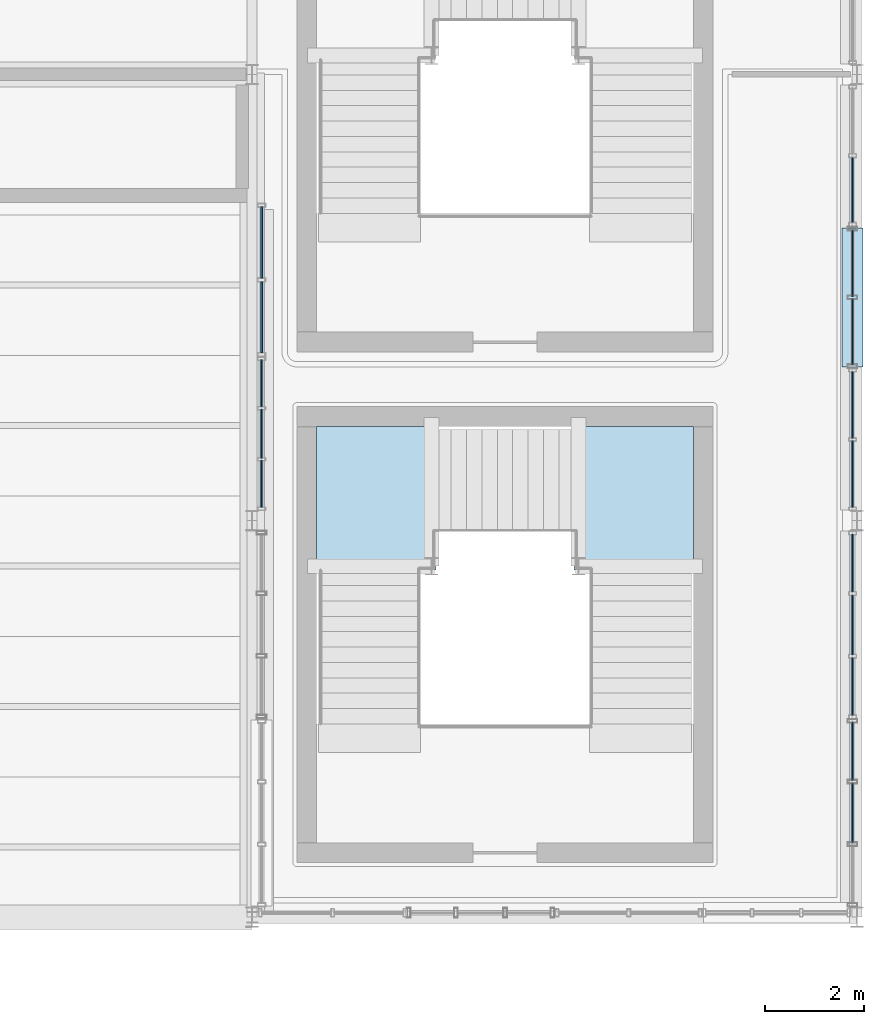
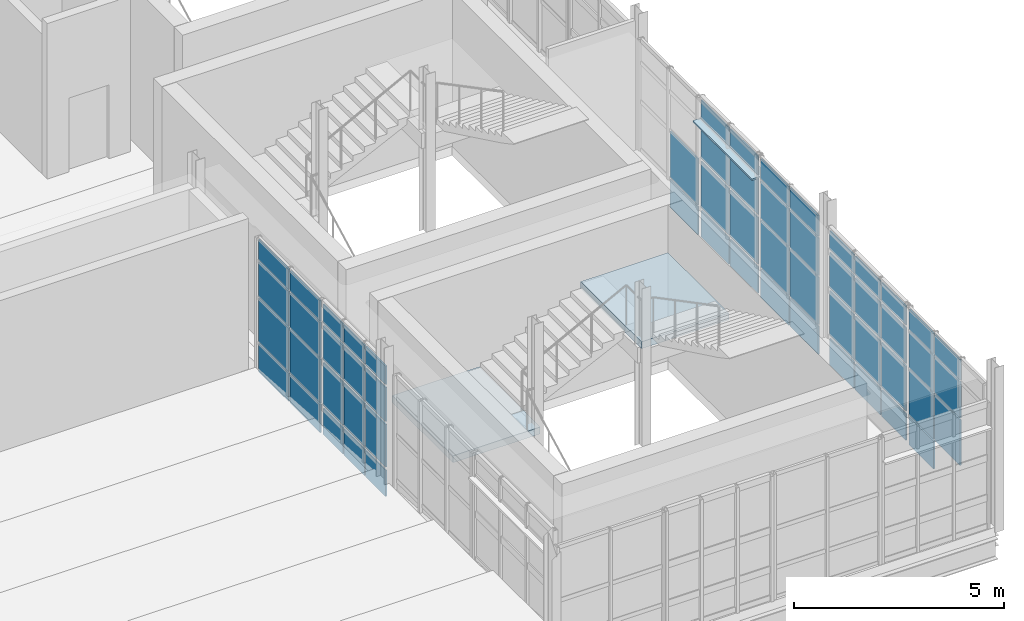
# One storey, part 75 of 100: 58 plates, 2 slabs, 8 elements without a shape of their own.
"""IFC4 building model written with IfcOpenShell, lengths in metres."""

from ifc_helpers import new_model, si_unit, derived_unit, direction, frame, origin, origin_2d, place, context, subcontext, project, spatial, polyline, rectangle, outline, extrude, material, layer, layer_set, type_object, element, aggregate, save


model = new_model("IFC4")

# Units and contexts
model_context = context("Model", 3, precision=1e-05, world=origin(), true_north=direction((0.0, 1.0)))
body_context = subcontext(model_context, "Body", "Model", "MODEL_VIEW")
ifc_project = project(units=[si_unit("LENGTHUNIT", "METRE"), si_unit("AREAUNIT", "SQUARE_METRE"), si_unit("VOLUMEUNIT", "CUBIC_METRE"), si_unit("PLANEANGLEUNIT", "RADIAN"), si_unit("MASSUNIT", "GRAM", prefix="KILO"), derived_unit("THERMALTRANSMITTANCEUNIT", [(si_unit("POWERUNIT", "WATT"), 1), (si_unit("LENGTHUNIT", "METRE"), -2), (si_unit("THERMODYNAMICTEMPERATUREUNIT", "KELVIN"), -1)])], contexts=[model_context])

# Site, building, storey
site_placement = place(None, origin())
site = spatial("IfcSite", under=ifc_project, at=site_placement, CompositionType="ELEMENT")
building_placement = place(site_placement, origin())
building = spatial("IfcBuilding", under=site, at=building_placement, Name="Nallur Shell Playhouse", CompositionType="ELEMENT")
storey_placement = place(building_placement, frame((0.0, 0.0, 10.199951171875)))
storey = spatial("IfcBuildingStorey", under=building, at=storey_placement, Name="L03", CompositionType="ELEMENT", Elevation=10.199951171875)

# Curtain wall, plates
ifc_material_1 = material(Name="Anodised Aluminium Double-Glazed Facade System", Category="aluminium")
ifc_layer_1 = layer(ifc_material_1, 0.1640625)
ifc_layer_set_1 = layer_set([ifc_layer_1], Name="Anodised Aluminium Double-Glazed Facade System")
curtain_wall_type_1 = type_object("IfcCurtainWallType", Name="CW-UNIT-19", PredefinedType="NOTDEFINED", material=ifc_layer_set_1)
curtain_wall_1_placement = place(storey_placement, origin())
curtain_wall_1 = element("IfcCurtainWall", 1, at=curtain_wall_1_placement, inside=storey, type_object=curtain_wall_type_1, Name="Unitised curtain wall CW-083 (L03)", PredefinedType="NOTDEFINED")
ifc_material_2 = material(Name="Solar-Control Low-E Laminated Insulating Glass", Category="glass")
ifc_layer_2 = layer(ifc_material_2, 0.030029296875)
ifc_layer_set_2 = layer_set([ifc_layer_2], Name="Solar-Control Low-E Laminated Insulating Glass")
plate_type_1 = type_object("IfcPlateType", Name="PT-GLZ-03", PredefinedType="CURTAIN_PANEL", material=ifc_layer_set_2)
plate_1_placement = place(storey_placement, frame((159.7099609375, 38.669677734375, 0.05712890625), z_axis=(0.0, 0.0, 1.0), x_axis=(0.0, -1.0, 0.0)))
plate_1 = element("IfcPlate", 2, at=plate_1_placement, type_object=plate_type_1, Name="CW-19 panel 2.1", PredefinedType="CURTAIN_PANEL", context=body_context, shape_type="SweptSolid", body=[
    extrude(rectangle(XDim=1.32421875, YDim=0.030029296875, at=origin_2d()), origin(), (0.0, 0.0, 1.0), 0.818603515625),
])
plate_2_placement = place(storey_placement, frame((159.7099609375, 38.669677734375, 0.924560546875), z_axis=(0.0, 0.0, 1.0), x_axis=(0.0, -1.0, 0.0)))
plate_2 = element("IfcPlate", 3, at=plate_2_placement, type_object=plate_type_1, Name="CW-19 panel 2.2", PredefinedType="CURTAIN_PANEL", context=body_context, shape_type="SweptSolid", body=[
    extrude(rectangle(XDim=1.32421875, YDim=0.030029296875, at=origin_2d()), origin(), (0.0, 0.0, 1.0), 1.35498046875),
])
aggregate(curtain_wall_1, [plate_1, plate_2])

ifc_layer_3 = layer(ifc_material_1, 0.16796875)
ifc_layer_set_3 = layer_set([ifc_layer_3], Name="Anodised Aluminium Double-Glazed Facade System")
curtain_wall_type_2 = type_object("IfcCurtainWallType", Name="CW-UNIT-20", PredefinedType="NOTDEFINED", material=ifc_layer_set_3)
curtain_wall_2_placement = place(storey_placement, origin())
curtain_wall_2 = element("IfcCurtainWall", 4, at=curtain_wall_2_placement, inside=storey, type_object=curtain_wall_type_2, Name="Unitised curtain wall CW-084 (L03)", PredefinedType="NOTDEFINED")
ifc_layer_4 = layer(ifc_material_2, 0.031982421875)
ifc_layer_set_4 = layer_set([ifc_layer_4], Name="Solar-Control Low-E Laminated Insulating Glass")
plate_type_2 = type_object("IfcPlateType", Name="PT-GLZ-04", PredefinedType="CURTAIN_PANEL", material=ifc_layer_set_4)
plate_3_placement = place(storey_placement, frame((159.7099609375, 37.194091796875, 0.092041015625), z_axis=(0.0, 0.0, 1.0), x_axis=(0.0, -1.0, 0.0)))
plate_3 = element("IfcPlate", 5, at=plate_3_placement, type_object=plate_type_2, Name="CW-20 panel 1.1", PredefinedType="CURTAIN_PANEL", context=body_context, shape_type="SweptSolid", body=[
    extrude(rectangle(XDim=1.3291015625, YDim=0.031982421875, at=origin_2d()), origin(), (0.0, 0.0, 1.0), 0.76611328125),
])
plate_4_placement = place(storey_placement, frame((159.7099609375, 37.194091796875, 0.942138671875), z_axis=(0.0, 0.0, 1.0), x_axis=(0.0, -1.0, 0.0)))
plate_4 = element("IfcPlate", 6, at=plate_4_placement, type_object=plate_type_2, Name="CW-20 panel 1.2", PredefinedType="CURTAIN_PANEL", context=body_context, shape_type="SweptSolid", body=[
    extrude(rectangle(XDim=1.3291015625, YDim=0.031982421875, at=origin_2d()), origin(), (0.0, 0.0, 1.0), 1.35400390625),
])
plate_5_placement = place(storey_placement, frame((159.7099609375, 37.194091796875, 2.3798828125), z_axis=(0.0, 0.0, 1.0), x_axis=(0.0, -1.0, 0.0)))
plate_5 = element("IfcPlate", 7, at=plate_5_placement, type_object=plate_type_2, Name="CW-20 panel 1.3", PredefinedType="CURTAIN_PANEL", context=body_context, shape_type="SweptSolid", body=[
    extrude(rectangle(XDim=1.3291015625, YDim=0.031982421875, at=origin_2d()), origin(), (0.0, 0.0, 1.0), 1.072998046875),
])
plate_6_placement = place(storey_placement, frame((159.7099609375, 37.194091796875, 3.537109375), z_axis=(0.0, 0.0, 1.0), x_axis=(0.0, -1.0, 0.0)))
plate_6 = element("IfcPlate", 8, at=plate_6_placement, type_object=plate_type_2, Name="CW-20 panel 1.4", PredefinedType="CURTAIN_PANEL", context=body_context, shape_type="SweptSolid", body=[
    extrude(rectangle(XDim=1.3291015625, YDim=0.031982421875, at=origin_2d()), origin(), (0.0, 0.0, 1.0), 0.5458984375),
])
plate_7_placement = place(storey_placement, frame((159.7099609375, 35.805908203125, 0.092041015625), z_axis=(0.0, 0.0, 1.0), x_axis=(0.0, -1.0, 0.0)))
plate_7 = element("IfcPlate", 9, at=plate_7_placement, type_object=plate_type_2, Name="CW-20 panel 2.1", PredefinedType="CURTAIN_PANEL", context=body_context, shape_type="SweptSolid", body=[
    extrude(rectangle(XDim=1.3291015625, YDim=0.031982421875, at=origin_2d()), origin(), (0.0, 0.0, 1.0), 0.76611328125),
])
plate_8_placement = place(storey_placement, frame((159.7099609375, 35.805908203125, 0.942138671875), z_axis=(0.0, 0.0, 1.0), x_axis=(0.0, -1.0, 0.0)))
plate_8 = element("IfcPlate", 10, at=plate_8_placement, type_object=plate_type_2, Name="CW-20 panel 2.2", PredefinedType="CURTAIN_PANEL", context=body_context, shape_type="SweptSolid", body=[
    extrude(rectangle(XDim=1.3291015625, YDim=0.031982421875, at=origin_2d()), origin(), (0.0, 0.0, 1.0), 1.35400390625),
])
plate_9_placement = place(storey_placement, frame((159.7099609375, 35.805908203125, 2.3798828125), z_axis=(0.0, 0.0, 1.0), x_axis=(0.0, -1.0, 0.0)))
plate_9 = element("IfcPlate", 11, at=plate_9_placement, type_object=plate_type_2, Name="CW-20 panel 2.3", PredefinedType="CURTAIN_PANEL", context=body_context, shape_type="SweptSolid", body=[
    extrude(rectangle(XDim=1.3291015625, YDim=0.031982421875, at=origin_2d()), origin(), (0.0, 0.0, 1.0), 1.072998046875),
])
plate_10_placement = place(storey_placement, frame((159.7099609375, 35.805908203125, 3.537109375), z_axis=(0.0, 0.0, 1.0), x_axis=(0.0, -1.0, 0.0)))
plate_10 = element("IfcPlate", 12, at=plate_10_placement, type_object=plate_type_2, Name="CW-20 panel 2.4", PredefinedType="CURTAIN_PANEL", context=body_context, shape_type="SweptSolid", body=[
    extrude(rectangle(XDim=1.3291015625, YDim=0.031982421875, at=origin_2d()), origin(), (0.0, 0.0, 1.0), 0.5458984375),
])
aggregate(curtain_wall_2, [plate_3, plate_4, plate_5, plate_6, plate_7, plate_8, plate_9, plate_10])

ifc_layer_5 = layer(ifc_material_1, 0.172119140625)
ifc_layer_set_5 = layer_set([ifc_layer_5], Name="Anodised Aluminium Double-Glazed Facade System")
curtain_wall_type_3 = type_object("IfcCurtainWallType", Name="CW-UNIT-21", PredefinedType="NOTDEFINED", material=ifc_layer_set_5)
curtain_wall_3_placement = place(storey_placement, origin())
curtain_wall_3 = element("IfcCurtainWall", 13, at=curtain_wall_3_placement, inside=storey, type_object=curtain_wall_type_3, Name="Unitised curtain wall CW-085 (L03)", PredefinedType="NOTDEFINED")
ifc_layer_6 = layer(ifc_material_2, 0.033935546875)
ifc_layer_set_6 = layer_set([ifc_layer_6], Name="Solar-Control Low-E Laminated Insulating Glass")
plate_type_3 = type_object("IfcPlateType", Name="PT-GLZ-05", PredefinedType="CURTAIN_PANEL", material=ifc_layer_set_6)
plate_11_placement = place(storey_placement, frame((159.7099609375, 34.333984375, 0.05712890625), z_axis=(0.0, 0.0, 1.0), x_axis=(0.0, -1.0, 0.0)))
plate_11 = element("IfcPlate", 14, at=plate_11_placement, type_object=plate_type_3, Name="CW-21 panel 1.1", PredefinedType="CURTAIN_PANEL", context=body_context, shape_type="SweptSolid", body=[
    extrude(rectangle(XDim=1.3466796875, YDim=0.033935546875, at=origin_2d()), origin(), (0.0, 0.0, 1.0), 0.818603515625),
])
plate_12_placement = place(storey_placement, frame((159.7099609375, 34.333984375, 0.924560546875), z_axis=(0.0, 0.0, 1.0), x_axis=(0.0, -1.0, 0.0)))
plate_12 = element("IfcPlate", 15, at=plate_12_placement, type_object=plate_type_3, Name="CW-21 panel 1.2", PredefinedType="CURTAIN_PANEL", context=body_context, shape_type="SweptSolid", body=[
    extrude(rectangle(XDim=1.3466796875, YDim=0.033935546875, at=origin_2d()), origin(), (0.0, 0.0, 1.0), 1.3779296875),
])
plate_13_placement = place(storey_placement, frame((159.7099609375, 34.333984375, 2.3515625), z_axis=(0.0, 0.0, 1.0), x_axis=(0.0, -1.0, 0.0)))
plate_13 = element("IfcPlate", 16, at=plate_13_placement, type_object=plate_type_3, Name="CW-21 panel 1.3", PredefinedType="CURTAIN_PANEL", context=body_context, shape_type="SweptSolid", body=[
    extrude(rectangle(XDim=1.3466796875, YDim=0.033935546875, at=origin_2d()), origin(), (0.0, 0.0, 1.0), 1.09912109375),
])
plate_14_placement = place(storey_placement, frame((159.7099609375, 34.333984375, 3.49951171875), z_axis=(0.0, 0.0, 1.0), x_axis=(0.0, -1.0, 0.0)))
plate_14 = element("IfcPlate", 17, at=plate_14_placement, type_object=plate_type_3, Name="CW-21 panel 1.4", PredefinedType="CURTAIN_PANEL", context=body_context, shape_type="SweptSolid", body=[
    extrude(rectangle(XDim=1.3466796875, YDim=0.033935546875, at=origin_2d()), origin(), (0.0, 0.0, 1.0), 0.598388671875),
])
plate_15_placement = place(storey_placement, frame((159.7099609375, 32.938232421875, 0.05712890625), z_axis=(0.0, 0.0, 1.0), x_axis=(0.0, -1.0, 0.0)))
plate_15 = element("IfcPlate", 18, at=plate_15_placement, type_object=plate_type_3, Name="CW-21 panel 2.1", PredefinedType="CURTAIN_PANEL", context=body_context, shape_type="SweptSolid", body=[
    extrude(rectangle(XDim=1.3466796875, YDim=0.033935546875, at=origin_2d()), origin(), (0.0, 0.0, 1.0), 0.818603515625),
])
plate_16_placement = place(storey_placement, frame((159.7099609375, 32.938232421875, 0.924560546875), z_axis=(0.0, 0.0, 1.0), x_axis=(0.0, -1.0, 0.0)))
plate_16 = element("IfcPlate", 19, at=plate_16_placement, type_object=plate_type_3, Name="CW-21 panel 2.2", PredefinedType="CURTAIN_PANEL", context=body_context, shape_type="SweptSolid", body=[
    extrude(rectangle(XDim=1.3466796875, YDim=0.033935546875, at=origin_2d()), origin(), (0.0, 0.0, 1.0), 1.3779296875),
])
plate_17_placement = place(storey_placement, frame((159.7099609375, 32.938232421875, 2.3515625), z_axis=(0.0, 0.0, 1.0), x_axis=(0.0, -1.0, 0.0)))
plate_17 = element("IfcPlate", 20, at=plate_17_placement, type_object=plate_type_3, Name="CW-21 panel 2.3", PredefinedType="CURTAIN_PANEL", context=body_context, shape_type="SweptSolid", body=[
    extrude(rectangle(XDim=1.3466796875, YDim=0.033935546875, at=origin_2d()), origin(), (0.0, 0.0, 1.0), 1.09912109375),
])
plate_18_placement = place(storey_placement, frame((159.7099609375, 32.938232421875, 3.49951171875), z_axis=(0.0, 0.0, 1.0), x_axis=(0.0, -1.0, 0.0)))
plate_18 = element("IfcPlate", 21, at=plate_18_placement, type_object=plate_type_3, Name="CW-21 panel 2.4", PredefinedType="CURTAIN_PANEL", context=body_context, shape_type="SweptSolid", body=[
    extrude(rectangle(XDim=1.3466796875, YDim=0.033935546875, at=origin_2d()), origin(), (0.0, 0.0, 1.0), 0.598388671875),
])
aggregate(curtain_wall_3, [plate_11, plate_12, plate_13, plate_14, plate_15, plate_16, plate_17, plate_18])

ifc_layer_7 = layer(ifc_material_1, 0.176025390625)
ifc_layer_set_7 = layer_set([ifc_layer_7], Name="Anodised Aluminium Double-Glazed Facade System")
curtain_wall_type_4 = type_object("IfcCurtainWallType", Name="CW-UNIT-22", PredefinedType="NOTDEFINED", material=ifc_layer_set_7)
curtain_wall_4_placement = place(storey_placement, origin())
curtain_wall_4 = element("IfcCurtainWall", 22, at=curtain_wall_4_placement, inside=storey, type_object=curtain_wall_type_4, Name="Unitised curtain wall CW-086 (L03)", PredefinedType="NOTDEFINED")
ifc_layer_8 = layer(ifc_material_2, 0.035888671875)
ifc_layer_set_8 = layer_set([ifc_layer_8], Name="Solar-Control Low-E Laminated Insulating Glass")
plate_type_4 = type_object("IfcPlateType", Name="PT-GLZ-06", PredefinedType="CURTAIN_PANEL", material=ifc_layer_set_8)
plate_19_placement = place(storey_placement, frame((159.7099609375, 31.140869140625, 0.092041015625), z_axis=(0.0, 0.0, 1.0), x_axis=(0.0, -1.0, 0.0)))
plate_19 = element("IfcPlate", 23, at=plate_19_placement, type_object=plate_type_4, Name="CW-22 panel 1.1", PredefinedType="CURTAIN_PANEL", context=body_context, shape_type="SweptSolid", body=[
    extrude(rectangle(XDim=1.158447265625, YDim=0.035888671875, at=origin_2d()), origin(), (0.0, 0.0, 1.0), 0.76611328125),
])
plate_20_placement = place(storey_placement, frame((159.7099609375, 31.140869140625, 0.94189453125), z_axis=(0.0, 0.0, 1.0), x_axis=(0.0, -1.0, 0.0)))
plate_20 = element("IfcPlate", 24, at=plate_20_placement, type_object=plate_type_4, Name="CW-22 panel 1.2", PredefinedType="CURTAIN_PANEL", context=body_context, shape_type="SweptSolid", body=[
    extrude(rectangle(XDim=1.158447265625, YDim=0.035888671875, at=origin_2d()), origin(), (0.0, 0.0, 1.0), 1.303955078125),
])
plate_21_placement = place(storey_placement, frame((159.7099609375, 31.140869140625, 2.330078125), z_axis=(0.0, 0.0, 1.0), x_axis=(0.0, -1.0, 0.0)))
plate_21 = element("IfcPlate", 25, at=plate_21_placement, type_object=plate_type_4, Name="CW-22 panel 1.3", PredefinedType="CURTAIN_PANEL", context=body_context, shape_type="SweptSolid", body=[
    extrude(rectangle(XDim=1.158447265625, YDim=0.035888671875, at=origin_2d()), origin(), (0.0, 0.0, 1.0), 1.032958984375),
])
plate_22_placement = place(storey_placement, frame((159.7099609375, 31.140869140625, 3.447021484375), z_axis=(0.0, 0.0, 1.0), x_axis=(0.0, -1.0, 0.0)))
plate_22 = element("IfcPlate", 26, at=plate_22_placement, type_object=plate_type_4, Name="CW-22 panel 1.4", PredefinedType="CURTAIN_PANEL", context=body_context, shape_type="SweptSolid", body=[
    extrude(rectangle(XDim=1.158447265625, YDim=0.035888671875, at=origin_2d()), origin(), (0.0, 0.0, 1.0), 0.5458984375),
])
plate_23_placement = place(storey_placement, frame((159.7099609375, 29.8984375, 0.092041015625), z_axis=(0.0, 0.0, 1.0), x_axis=(0.0, -1.0, 0.0)))
plate_23 = element("IfcPlate", 27, at=plate_23_placement, type_object=plate_type_4, Name="CW-22 panel 2.1", PredefinedType="CURTAIN_PANEL", context=body_context, shape_type="SweptSolid", body=[
    extrude(rectangle(XDim=1.1982421875, YDim=0.035888671875, at=origin_2d()), origin(), (0.0, 0.0, 1.0), 0.76611328125),
])
plate_24_placement = place(storey_placement, frame((159.7099609375, 29.8984375, 0.94189453125), z_axis=(0.0, 0.0, 1.0), x_axis=(0.0, -1.0, 0.0)))
plate_24 = element("IfcPlate", 28, at=plate_24_placement, type_object=plate_type_4, Name="CW-22 panel 2.2", PredefinedType="CURTAIN_PANEL", context=body_context, shape_type="SweptSolid", body=[
    extrude(rectangle(XDim=1.1982421875, YDim=0.035888671875, at=origin_2d()), origin(), (0.0, 0.0, 1.0), 1.303955078125),
])
plate_25_placement = place(storey_placement, frame((159.7099609375, 29.8984375, 2.330078125), z_axis=(0.0, 0.0, 1.0), x_axis=(0.0, -1.0, 0.0)))
plate_25 = element("IfcPlate", 29, at=plate_25_placement, type_object=plate_type_4, Name="CW-22 panel 2.3", PredefinedType="CURTAIN_PANEL", context=body_context, shape_type="SweptSolid", body=[
    extrude(rectangle(XDim=1.1982421875, YDim=0.035888671875, at=origin_2d()), origin(), (0.0, 0.0, 1.0), 1.032958984375),
])
plate_26_placement = place(storey_placement, frame((159.7099609375, 29.8984375, 3.447021484375), z_axis=(0.0, 0.0, 1.0), x_axis=(0.0, -1.0, 0.0)))
plate_26 = element("IfcPlate", 30, at=plate_26_placement, type_object=plate_type_4, Name="CW-22 panel 2.4", PredefinedType="CURTAIN_PANEL", context=body_context, shape_type="SweptSolid", body=[
    extrude(rectangle(XDim=1.1982421875, YDim=0.035888671875, at=origin_2d()), origin(), (0.0, 0.0, 1.0), 0.5458984375),
])
plate_27_placement = place(storey_placement, frame((159.7099609375, 28.65625, 0.092041015625), z_axis=(0.0, 0.0, 1.0), x_axis=(0.0, -1.0, 0.0)))
plate_27 = element("IfcPlate", 31, at=plate_27_placement, type_object=plate_type_4, Name="CW-22 panel 3.1", PredefinedType="CURTAIN_PANEL", context=body_context, shape_type="SweptSolid", body=[
    extrude(rectangle(XDim=1.158447265625, YDim=0.035888671875, at=origin_2d()), origin(), (0.0, 0.0, 1.0), 0.76611328125),
])
plate_28_placement = place(storey_placement, frame((159.7099609375, 28.65625, 0.94189453125), z_axis=(0.0, 0.0, 1.0), x_axis=(0.0, -1.0, 0.0)))
plate_28 = element("IfcPlate", 32, at=plate_28_placement, type_object=plate_type_4, Name="CW-22 panel 3.2", PredefinedType="CURTAIN_PANEL", context=body_context, shape_type="SweptSolid", body=[
    extrude(rectangle(XDim=1.158447265625, YDim=0.035888671875, at=origin_2d()), origin(), (0.0, 0.0, 1.0), 1.303955078125),
])
plate_29_placement = place(storey_placement, frame((159.7099609375, 28.65625, 2.330078125), z_axis=(0.0, 0.0, 1.0), x_axis=(0.0, -1.0, 0.0)))
plate_29 = element("IfcPlate", 33, at=plate_29_placement, type_object=plate_type_4, Name="CW-22 panel 3.3", PredefinedType="CURTAIN_PANEL", context=body_context, shape_type="SweptSolid", body=[
    extrude(rectangle(XDim=1.158447265625, YDim=0.035888671875, at=origin_2d()), origin(), (0.0, 0.0, 1.0), 1.032958984375),
])
plate_30_placement = place(storey_placement, frame((159.7099609375, 28.65625, 3.447021484375), z_axis=(0.0, 0.0, 1.0), x_axis=(0.0, -1.0, 0.0)))
plate_30 = element("IfcPlate", 34, at=plate_30_placement, type_object=plate_type_4, Name="CW-22 panel 3.4", PredefinedType="CURTAIN_PANEL", context=body_context, shape_type="SweptSolid", body=[
    extrude(rectangle(XDim=1.158447265625, YDim=0.035888671875, at=origin_2d()), origin(), (0.0, 0.0, 1.0), 0.5458984375),
])
aggregate(curtain_wall_4, [plate_19, plate_20, plate_21, plate_22, plate_23, plate_24, plate_25, plate_26, plate_27, plate_28, plate_29, plate_30])

ifc_layer_9 = layer(ifc_material_1, 0.159912109375)
ifc_layer_set_9 = layer_set([ifc_layer_9], Name="Anodised Aluminium Double-Glazed Facade System")
curtain_wall_type_5 = type_object("IfcCurtainWallType", Name="CW-UNIT-30", PredefinedType="NOTDEFINED", material=ifc_layer_set_9)
curtain_wall_5_placement = place(storey_placement, origin())
curtain_wall_5 = element("IfcCurtainWall", 35, at=curtain_wall_5_placement, inside=storey, type_object=curtain_wall_type_5, Name="Unitised curtain wall CW-094 (L03)", PredefinedType="NOTDEFINED")
plate_31_placement = place(storey_placement, frame((147.7900390625, 32.739501953125, 0.092041015625), z_axis=(0.0, 0.0, 1.0), x_axis=(0.0, 1.0, 0.0)))
plate_31 = element("IfcPlate", 36, at=plate_31_placement, type_object=plate_type_4, Name="CW-30 panel 1.1", PredefinedType="CURTAIN_PANEL", context=body_context, shape_type="SweptSolid", body=[
    extrude(rectangle(XDim=0.94873046875, YDim=0.035888671875, at=origin_2d()), origin(), (0.0, 0.0, 1.0), 0.76611328125),
])
plate_32_placement = place(storey_placement, frame((147.7900390625, 32.739501953125, 0.942138671875), z_axis=(0.0, 0.0, 1.0), x_axis=(0.0, 1.0, 0.0)))
plate_32 = element("IfcPlate", 37, at=plate_32_placement, type_object=plate_type_4, Name="CW-30 panel 1.2", PredefinedType="CURTAIN_PANEL", context=body_context, shape_type="SweptSolid", body=[
    extrude(rectangle(XDim=0.94873046875, YDim=0.035888671875, at=origin_2d()), origin(), (0.0, 0.0, 1.0), 1.248046875),
])
plate_33_placement = place(storey_placement, frame((147.7900390625, 32.739501953125, 2.27392578125), z_axis=(0.0, 0.0, 1.0), x_axis=(0.0, 1.0, 0.0)))
plate_33 = element("IfcPlate", 38, at=plate_33_placement, type_object=plate_type_4, Name="CW-30 panel 1.3", PredefinedType="CURTAIN_PANEL", context=body_context, shape_type="SweptSolid", body=[
    extrude(rectangle(XDim=0.94873046875, YDim=0.035888671875, at=origin_2d()), origin(), (0.0, 0.0, 1.0), 0.989013671875),
])
plate_34_placement = place(storey_placement, frame((147.7900390625, 32.739501953125, 3.34716796875), z_axis=(0.0, 0.0, 1.0), x_axis=(0.0, 1.0, 0.0)))
plate_34 = element("IfcPlate", 39, at=plate_34_placement, type_object=plate_type_4, Name="CW-30 panel 1.4", PredefinedType="CURTAIN_PANEL", context=body_context, shape_type="SweptSolid", body=[
    extrude(rectangle(XDim=0.94873046875, YDim=0.035888671875, at=origin_2d()), origin(), (0.0, 0.0, 1.0), 0.5458984375),
])
plate_35_placement = place(storey_placement, frame((147.7900390625, 33.75341796875, 0.092041015625), z_axis=(0.0, 0.0, 1.0), x_axis=(0.0, 1.0, 0.0)))
plate_35 = element("IfcPlate", 40, at=plate_35_placement, type_object=plate_type_4, Name="CW-30 panel 2.1", PredefinedType="CURTAIN_PANEL", context=body_context, shape_type="SweptSolid", body=[
    extrude(rectangle(XDim=0.9814453125, YDim=0.035888671875, at=origin_2d()), origin(), (0.0, 0.0, 1.0), 0.76611328125),
])
plate_36_placement = place(storey_placement, frame((147.7900390625, 33.75341796875, 0.942138671875), z_axis=(0.0, 0.0, 1.0), x_axis=(0.0, 1.0, 0.0)))
plate_36 = element("IfcPlate", 41, at=plate_36_placement, type_object=plate_type_4, Name="CW-30 panel 2.2", PredefinedType="CURTAIN_PANEL", context=body_context, shape_type="SweptSolid", body=[
    extrude(rectangle(XDim=0.9814453125, YDim=0.035888671875, at=origin_2d()), origin(), (0.0, 0.0, 1.0), 1.248046875),
])
plate_37_placement = place(storey_placement, frame((147.7900390625, 33.75341796875, 2.27392578125), z_axis=(0.0, 0.0, 1.0), x_axis=(0.0, 1.0, 0.0)))
plate_37 = element("IfcPlate", 42, at=plate_37_placement, type_object=plate_type_4, Name="CW-30 panel 2.3", PredefinedType="CURTAIN_PANEL", context=body_context, shape_type="SweptSolid", body=[
    extrude(rectangle(XDim=0.9814453125, YDim=0.035888671875, at=origin_2d()), origin(), (0.0, 0.0, 1.0), 0.989013671875),
])
plate_38_placement = place(storey_placement, frame((147.7900390625, 33.75341796875, 3.34716796875), z_axis=(0.0, 0.0, 1.0), x_axis=(0.0, 1.0, 0.0)))
plate_38 = element("IfcPlate", 43, at=plate_38_placement, type_object=plate_type_4, Name="CW-30 panel 2.4", PredefinedType="CURTAIN_PANEL", context=body_context, shape_type="SweptSolid", body=[
    extrude(rectangle(XDim=0.9814453125, YDim=0.035888671875, at=origin_2d()), origin(), (0.0, 0.0, 1.0), 0.5458984375),
])
plate_39_placement = place(storey_placement, frame((147.7900390625, 34.767578125, 0.092041015625), z_axis=(0.0, 0.0, 1.0), x_axis=(0.0, 1.0, 0.0)))
plate_39 = element("IfcPlate", 44, at=plate_39_placement, type_object=plate_type_4, Name="CW-30 panel 3.1", PredefinedType="CURTAIN_PANEL", context=body_context, shape_type="SweptSolid", body=[
    extrude(rectangle(XDim=0.94873046875, YDim=0.035888671875, at=origin_2d()), origin(), (0.0, 0.0, 1.0), 0.76611328125),
])
plate_40_placement = place(storey_placement, frame((147.7900390625, 34.767578125, 0.942138671875), z_axis=(0.0, 0.0, 1.0), x_axis=(0.0, 1.0, 0.0)))
plate_40 = element("IfcPlate", 45, at=plate_40_placement, type_object=plate_type_4, Name="CW-30 panel 3.2", PredefinedType="CURTAIN_PANEL", context=body_context, shape_type="SweptSolid", body=[
    extrude(rectangle(XDim=0.94873046875, YDim=0.035888671875, at=origin_2d()), origin(), (0.0, 0.0, 1.0), 1.248046875),
])
plate_41_placement = place(storey_placement, frame((147.7900390625, 34.767578125, 2.27392578125), z_axis=(0.0, 0.0, 1.0), x_axis=(0.0, 1.0, 0.0)))
plate_41 = element("IfcPlate", 46, at=plate_41_placement, type_object=plate_type_4, Name="CW-30 panel 3.3", PredefinedType="CURTAIN_PANEL", context=body_context, shape_type="SweptSolid", body=[
    extrude(rectangle(XDim=0.94873046875, YDim=0.035888671875, at=origin_2d()), origin(), (0.0, 0.0, 1.0), 0.989013671875),
])
plate_42_placement = place(storey_placement, frame((147.7900390625, 34.767578125, 3.34716796875), z_axis=(0.0, 0.0, 1.0), x_axis=(0.0, 1.0, 0.0)))
plate_42 = element("IfcPlate", 47, at=plate_42_placement, type_object=plate_type_4, Name="CW-30 panel 3.4", PredefinedType="CURTAIN_PANEL", context=body_context, shape_type="SweptSolid", body=[
    extrude(rectangle(XDim=0.94873046875, YDim=0.035888671875, at=origin_2d()), origin(), (0.0, 0.0, 1.0), 0.5458984375),
])
aggregate(curtain_wall_5, [plate_31, plate_32, plate_33, plate_34, plate_35, plate_36, plate_37, plate_38, plate_39, plate_40, plate_41, plate_42])

ifc_layer_10 = layer(ifc_material_1, 0.179931640625)
ifc_layer_set_10 = layer_set([ifc_layer_10], Name="Anodised Aluminium Double-Glazed Facade System")
curtain_wall_type_6 = type_object("IfcCurtainWallType", Name="CW-UNIT-23", PredefinedType="NOTDEFINED", material=ifc_layer_set_10)
curtain_wall_6_placement = place(storey_placement, origin())
curtain_wall_6 = element("IfcCurtainWall", 48, at=curtain_wall_6_placement, inside=storey, type_object=curtain_wall_type_6, Name="Unitised curtain wall CW-087 (L03)", PredefinedType="NOTDEFINED")
ifc_layer_11 = layer(ifc_material_2, 0.0380859375)
ifc_layer_set_11 = layer_set([ifc_layer_11], Name="Solar-Control Low-E Laminated Insulating Glass")
plate_type_5 = type_object("IfcPlateType", Name="PT-GLZ-07", PredefinedType="CURTAIN_PANEL", material=ifc_layer_set_11)
plate_43_placement = place(storey_placement, frame((159.7099609375, 27.344970703125, 0.05712890625), z_axis=(0.0, 0.0, 1.0), x_axis=(0.0, -1.0, 0.0)))
plate_43 = element("IfcPlate", 49, at=plate_43_placement, type_object=plate_type_5, Name="CW-23 panel 1.1", PredefinedType="CURTAIN_PANEL", context=body_context, shape_type="SweptSolid", body=[
    extrude(rectangle(XDim=1.165771484375, YDim=0.0380859375, at=origin_2d()), origin(), (0.0, 0.0, 1.0), 0.818603515625),
])
plate_44_placement = place(storey_placement, frame((159.7099609375, 27.344970703125, 0.9248046875), z_axis=(0.0, 0.0, 1.0), x_axis=(0.0, -1.0, 0.0)))
plate_44 = element("IfcPlate", 50, at=plate_44_placement, type_object=plate_type_5, Name="CW-23 panel 1.2", PredefinedType="CURTAIN_PANEL", context=body_context, shape_type="SweptSolid", body=[
    extrude(rectangle(XDim=1.165771484375, YDim=0.0380859375, at=origin_2d()), origin(), (0.0, 0.0, 1.0), 1.326904296875),
])
plate_45_placement = place(storey_placement, frame((159.7099609375, 27.344970703125, 2.300537109375), z_axis=(0.0, 0.0, 1.0), x_axis=(0.0, -1.0, 0.0)))
plate_45 = element("IfcPlate", 51, at=plate_45_placement, type_object=plate_type_5, Name="CW-23 panel 1.3", PredefinedType="CURTAIN_PANEL", context=body_context, shape_type="SweptSolid", body=[
    extrude(rectangle(XDim=1.165771484375, YDim=0.0380859375, at=origin_2d()), origin(), (0.0, 0.0, 1.0), 1.06005859375),
])
plate_46_placement = place(storey_placement, frame((159.7099609375, 27.344970703125, 3.40966796875), z_axis=(0.0, 0.0, 1.0), x_axis=(0.0, -1.0, 0.0)))
plate_46 = element("IfcPlate", 52, at=plate_46_placement, type_object=plate_type_5, Name="CW-23 panel 1.4", PredefinedType="CURTAIN_PANEL", context=body_context, shape_type="SweptSolid", body=[
    extrude(rectangle(XDim=1.165771484375, YDim=0.0380859375, at=origin_2d()), origin(), (0.0, 0.0, 1.0), 0.598388671875),
])
plate_47_placement = place(storey_placement, frame((159.7099609375, 26.1015625, 0.9248046875), z_axis=(0.0, 0.0, 1.0), x_axis=(0.0, -1.0, 0.0)))
plate_47 = element("IfcPlate", 53, at=plate_47_placement, type_object=plate_type_5, Name="CW-23 panel 2.2", PredefinedType="CURTAIN_PANEL", context=body_context, shape_type="SweptSolid", body=[
    extrude(rectangle(XDim=1.203369140625, YDim=0.0380859375, at=origin_2d()), origin(), (0.0, 0.0, 1.0), 1.326904296875),
])
plate_48_placement = place(storey_placement, frame((159.7099609375, 26.1015625, 2.300537109375), z_axis=(0.0, 0.0, 1.0), x_axis=(0.0, -1.0, 0.0)))
plate_48 = element("IfcPlate", 54, at=plate_48_placement, type_object=plate_type_5, Name="CW-23 panel 2.3", PredefinedType="CURTAIN_PANEL", context=body_context, shape_type="SweptSolid", body=[
    extrude(rectangle(XDim=1.203369140625, YDim=0.0380859375, at=origin_2d()), origin(), (0.0, 0.0, 1.0), 1.06005859375),
])
plate_49_placement = place(storey_placement, frame((159.7099609375, 26.1015625, 3.40966796875), z_axis=(0.0, 0.0, 1.0), x_axis=(0.0, -1.0, 0.0)))
plate_49 = element("IfcPlate", 55, at=plate_49_placement, type_object=plate_type_5, Name="CW-23 panel 2.4", PredefinedType="CURTAIN_PANEL", context=body_context, shape_type="SweptSolid", body=[
    extrude(rectangle(XDim=1.203369140625, YDim=0.0380859375, at=origin_2d()), origin(), (0.0, 0.0, 1.0), 0.598388671875),
])
aggregate(curtain_wall_6, [plate_43, plate_44, plate_45, plate_46, plate_47, plate_48, plate_49])

ifc_layer_12 = layer(ifc_material_1, 0.1640625)
ifc_layer_set_12 = layer_set([ifc_layer_12], Name="Anodised Aluminium Double-Glazed Facade System")
curtain_wall_type_7 = type_object("IfcCurtainWallType", Name="CW-UNIT-31", PredefinedType="NOTDEFINED", material=ifc_layer_set_12)
curtain_wall_7_placement = place(storey_placement, origin())
curtain_wall_7 = element("IfcCurtainWall", 56, at=curtain_wall_7_placement, inside=storey, type_object=curtain_wall_type_7, Name="Unitised curtain wall CW-095 (L03)", PredefinedType="NOTDEFINED")
plate_50_placement = place(storey_placement, frame((147.7900390625, 36.101806640625, 0.05712890625), z_axis=(0.0, 0.0, 1.0), x_axis=(0.0, 1.0, 0.0)))
plate_50 = element("IfcPlate", 57, at=plate_50_placement, type_object=plate_type_5, Name="CW-31 panel 1.1", PredefinedType="CURTAIN_PANEL", context=body_context, shape_type="SweptSolid", body=[
    extrude(rectangle(XDim=1.44140625, YDim=0.0380859375, at=origin_2d()), origin(), (0.0, 0.0, 1.0), 0.818603515625),
])
plate_51_placement = place(storey_placement, frame((147.7900390625, 36.101806640625, 0.924560546875), z_axis=(0.0, 0.0, 1.0), x_axis=(0.0, 1.0, 0.0)))
plate_51 = element("IfcPlate", 58, at=plate_51_placement, type_object=plate_type_5, Name="CW-31 panel 1.2", PredefinedType="CURTAIN_PANEL", context=body_context, shape_type="SweptSolid", body=[
    extrude(rectangle(XDim=1.44140625, YDim=0.0380859375, at=origin_2d()), origin(), (0.0, 0.0, 1.0), 1.27099609375),
])
plate_52_placement = place(storey_placement, frame((147.7900390625, 36.101806640625, 2.244384765625), z_axis=(0.0, 0.0, 1.0), x_axis=(0.0, 1.0, 0.0)))
plate_52 = element("IfcPlate", 59, at=plate_52_placement, type_object=plate_type_5, Name="CW-31 panel 1.3", PredefinedType="CURTAIN_PANEL", context=body_context, shape_type="SweptSolid", body=[
    extrude(rectangle(XDim=1.44140625, YDim=0.0380859375, at=origin_2d()), origin(), (0.0, 0.0, 1.0), 1.01611328125),
])
plate_53_placement = place(storey_placement, frame((147.7900390625, 36.101806640625, 3.3095703125), z_axis=(0.0, 0.0, 1.0), x_axis=(0.0, 1.0, 0.0)))
plate_53 = element("IfcPlate", 60, at=plate_53_placement, type_object=plate_type_5, Name="CW-31 panel 1.4", PredefinedType="CURTAIN_PANEL", context=body_context, shape_type="SweptSolid", body=[
    extrude(rectangle(XDim=1.44140625, YDim=0.0380859375, at=origin_2d()), origin(), (0.0, 0.0, 1.0), 0.598388671875),
])
plate_54_placement = place(storey_placement, frame((147.7900390625, 37.607177734375, 0.05712890625), z_axis=(0.0, 0.0, 1.0), x_axis=(0.0, 1.0, 0.0)))
plate_54 = element("IfcPlate", 61, at=plate_54_placement, type_object=plate_type_5, Name="CW-31 panel 2.1", PredefinedType="CURTAIN_PANEL", context=body_context, shape_type="SweptSolid", body=[
    extrude(rectangle(XDim=1.44140625, YDim=0.0380859375, at=origin_2d()), origin(), (0.0, 0.0, 1.0), 0.818603515625),
])
plate_55_placement = place(storey_placement, frame((147.7900390625, 37.607177734375, 0.924560546875), z_axis=(0.0, 0.0, 1.0), x_axis=(0.0, 1.0, 0.0)))
plate_55 = element("IfcPlate", 62, at=plate_55_placement, type_object=plate_type_5, Name="CW-31 panel 2.2", PredefinedType="CURTAIN_PANEL", context=body_context, shape_type="SweptSolid", body=[
    extrude(rectangle(XDim=1.44140625, YDim=0.0380859375, at=origin_2d()), origin(), (0.0, 0.0, 1.0), 1.27099609375),
])
plate_56_placement = place(storey_placement, frame((147.7900390625, 37.607177734375, 2.244384765625), z_axis=(0.0, 0.0, 1.0), x_axis=(0.0, 1.0, 0.0)))
plate_56 = element("IfcPlate", 63, at=plate_56_placement, type_object=plate_type_5, Name="CW-31 panel 2.3", PredefinedType="CURTAIN_PANEL", context=body_context, shape_type="SweptSolid", body=[
    extrude(rectangle(XDim=1.44140625, YDim=0.0380859375, at=origin_2d()), origin(), (0.0, 0.0, 1.0), 1.01611328125),
])
plate_57_placement = place(storey_placement, frame((147.7900390625, 37.607177734375, 3.3095703125), z_axis=(0.0, 0.0, 1.0), x_axis=(0.0, 1.0, 0.0)))
plate_57 = element("IfcPlate", 64, at=plate_57_placement, type_object=plate_type_5, Name="CW-31 panel 2.4", PredefinedType="CURTAIN_PANEL", context=body_context, shape_type="SweptSolid", body=[
    extrude(rectangle(XDim=1.44140625, YDim=0.0380859375, at=origin_2d()), origin(), (0.0, 0.0, 1.0), 0.598388671875),
])
aggregate(curtain_wall_7, [plate_50, plate_51, plate_52, plate_53, plate_54, plate_55, plate_56, plate_57])

# Plate
ifc_material_3 = material(Name="Terracotta & Gold-Anodised Monsoon Sunshade Blade", Category="masonry")
ifc_layer_13 = layer(ifc_material_3, 0.044921875)
ifc_layer_set_13 = layer_set([ifc_layer_13], Name="Terracotta & Gold-Anodised Monsoon Sunshade Blade")
plate_type_6 = type_object("IfcPlateType", Name="PT-LOUVRE-01", PredefinedType="USERDEFINED", material=ifc_layer_set_13)
plate_58_placement = place(storey_placement, frame((159.7099609375, 36.5, 3.47265625), z_axis=(0.0, 0.0, 1.0), x_axis=(0.0, -1.0, 0.0)))
element("IfcPlate", 65, at=plate_58_placement, inside=storey, type_object=plate_type_6, Name="Monsoon sunshade louvre blade LV-021", ObjectType="SUNSHADE LOUVRE", PredefinedType="USERDEFINED", context=body_context, shape_type="SweptSolid", body=[
    extrude(rectangle(XDim=2.81103515625, YDim=0.419921875, at=origin_2d()), origin(), (0.0, 0.0, 1.0), 0.044921875),
])

# Stair, slabs
ifc_material_4 = material(Name="Concrete M35", Category="concrete")
stair_type = type_object("IfcStairType", Name="ST-CORE-48", PredefinedType="QUARTER_TURN_STAIR", material=ifc_material_4)
stair_placement = place(storey_placement, origin())
stair = element("IfcStair", 66, at=stair_placement, inside=storey, type_object=stair_type, Name="Core JC-8 exit stair ST-08-L03 (L03 to L04)", PredefinedType="QUARTER_TURN_STAIR")
ifc_layer_14 = layer(ifc_material_4, 0.199951171875)
ifc_layer_set_14 = layer_set([ifc_layer_14], Name="Concrete M35")
slab_type = type_object("IfcSlabType", Name="SL-LANDING-200", PredefinedType="LANDING", material=ifc_layer_set_14)
slab_1_placement = place(storey_placement, frame((0.0, 0.0, 1.449951171875)))
slab_1 = element("IfcSlab", 67, at=slab_1_placement, type_object=slab_type, Name="ST-48 landing 1", PredefinedType="LANDING", context=body_context, shape_type="SweptSolid", body=[
    extrude(outline(polyline([(148.89990234375, 31.0), (151.304931640625, 31.0), (151.304931640625, 33.89990234375), (148.89990234375, 33.89990234375), (148.89990234375, 31.0)])), origin(), (0.0, 0.0, 1.0), 0.2001953125),
])
slab_2_placement = place(storey_placement, frame((0.0, 0.0, 2.949951171875)))
slab_2 = element("IfcSlab", 68, at=slab_2_placement, type_object=slab_type, Name="ST-48 landing 2", PredefinedType="LANDING", context=body_context, shape_type="SweptSolid", body=[
    extrude(outline(polyline([(154.094970703125, 31.0), (156.5, 31.0), (156.5, 33.89990234375), (154.094970703125, 33.89990234375), (154.094970703125, 31.0)])), origin(), (0.0, 0.0, 1.0), 0.2001953125),
])
aggregate(stair, [slab_1, slab_2])

save(model, "model.ifc")
